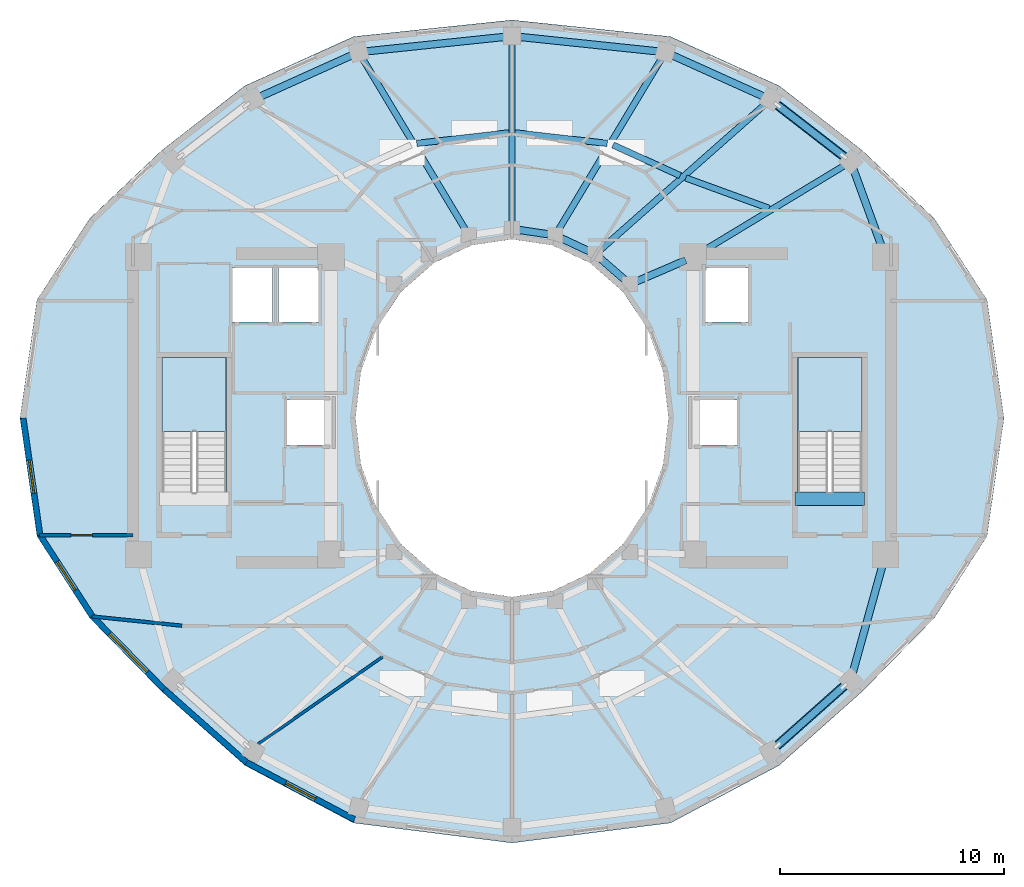
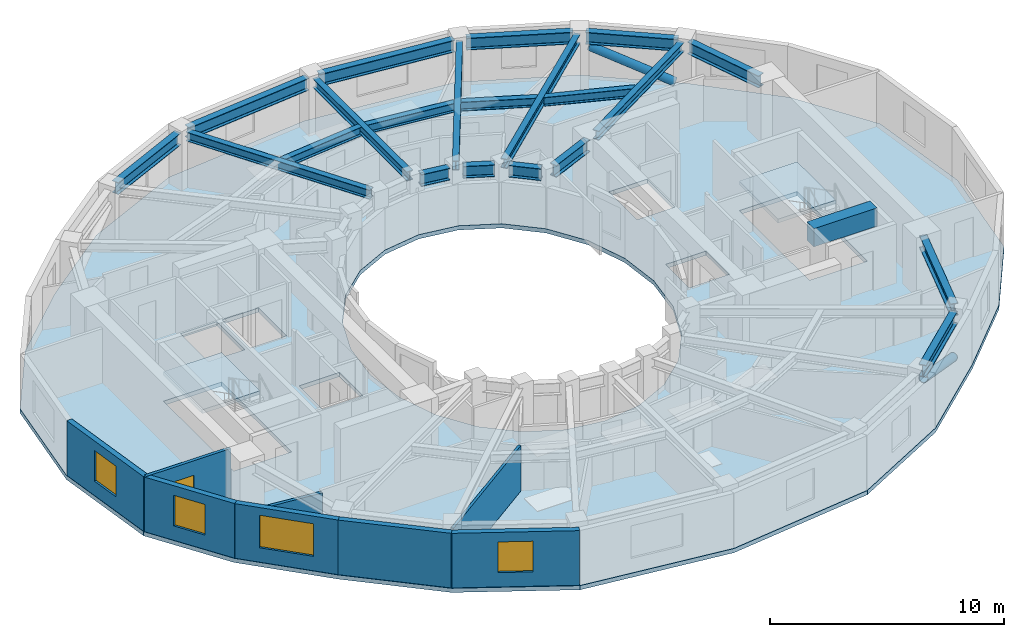
# One storey, part 2 of 9: 22 beams, 8 walls, 4 windows, 3 slabs, 2 members, 1 door, 5 openings, 2 elements without a shape of their own.
"""IFC4 building model written with IfcOpenShell, lengths in metres."""

from ifc_helpers import new_model, si_unit, direction, frame, frame_2d, origin, origin_2d, place, context, subcontext, project, spatial, polyline, rectangle, hollow_circle, i_section, outline, extrude, material, layer, layer_set, material_profile, profile_set, type_object, element, fill, aggregate, save


model = new_model("IFC4")

# Units and contexts
model_context = context("Model", 3, precision=1e-05, world=origin(), true_north=direction((0.0, 1.0)))
body_context = subcontext(model_context, "Body", "Model", "MODEL_VIEW")
ifc_project = project(units=[si_unit("LENGTHUNIT", "METRE"), si_unit("AREAUNIT", "SQUARE_METRE"), si_unit("VOLUMEUNIT", "CUBIC_METRE"), si_unit("PLANEANGLEUNIT", "RADIAN"), si_unit("MASSUNIT", "GRAM", prefix="KILO")], contexts=[model_context])

# Site, building, storey
site_placement = place(None, origin())
site = spatial("IfcSite", under=ifc_project, at=site_placement, CompositionType="ELEMENT")
building_placement = place(site_placement, origin())
building = spatial("IfcBuilding", under=site, at=building_placement, Name="Solvane Sanctuary Tower", CompositionType="ELEMENT")
storey_placement = place(building_placement, frame((0.0, 0.0, 229.5)))
storey = spatial("IfcBuildingStorey", under=building, at=storey_placement, Name="L70", CompositionType="ELEMENT", Elevation=229.5)

# Beams
ifc_material_1 = material(Name="Concrete C70/85", Category="concrete")
ifc_material_profile_1 = material_profile(ifc_material_1, rectangle(XDim=0.60009765625, YDim=0.949951171875, at=origin_2d()), Name="RC600X950")
ifc_profile_set_1 = profile_set([ifc_material_profile_1], Name="Concrete C70/85")
beam_type_1 = type_object("IfcBeamType", Name="Beam B-COUPLE RC600X950", PredefinedType="LINTEL", material=ifc_profile_set_1)
beam_1_placement = place(storey_placement, frame((44.64990234375, 19.399169921875, 2.625), z_axis=(1.0, 0.0, 0.0), x_axis=(0.0, 1.0, 0.0)))
element("IfcBeam", 1, at=beam_1_placement, inside=storey, type_object=beam_type_1, Name="L70 ST-2 Stair Floor Landing Trimmer", PredefinedType="LINTEL", context=body_context, shape_type="SweptSolid", body=[
    extrude(rectangle(XDim=0.60009765625, YDim=0.949951171875, at=origin_2d()), origin(), (0.0, 0.0, 1.0), 3.1201171875),
])
ifc_material_2 = material(Name="Steel ASTM A992 Grade 50", Category="steel")
ifc_material_profile_2 = material_profile(ifc_material_2, i_section(OverallWidth=0.282958984375, OverallDepth=0.471923828125, WebThickness=0.013671875, FlangeThickness=0.022216796875, FilletRadius=0.013916015625, at=origin_2d()), Name="W18X97")
ifc_profile_set_2 = profile_set([ifc_material_profile_2], Name="Steel ASTM A992 Grade 50")
beam_type_2 = type_object("IfcBeamType", Name="Beam B-RAD-Z4 W18X97", PredefinedType="JOIST", material=ifc_profile_set_2)
beam_2_placement = place(storey_placement, frame((40.407958984375, 30.38623046875, 2.64208984375), z_axis=(0.855612120123, 0.517617522789, 0.0), x_axis=(-0.517617522789, 0.855612120123, 0.0)))
element("IfcBeam", 2, at=beam_2_placement, inside=storey, type_object=beam_type_2, Name="L70 Radial Composite Floor Beam 01", PredefinedType="JOIST", context=body_context, shape_type="SweptSolid", body=[
    extrude(i_section(OverallWidth=0.282958984375, OverallDepth=0.471923828125, WebThickness=0.013671875, FlangeThickness=0.022216796875, FilletRadius=0.013916015625, at=origin_2d()), origin(), (0.0, 0.0, 1.0), 7.59375),
])
beam_3_placement = place(storey_placement, frame((35.939697265625, 30.511962890625, 2.64208984375), z_axis=(0.749352461353, 0.662171343886, 0.0), x_axis=(-0.662171343886, 0.749352461353, 0.0)))
element("IfcBeam", 3, at=beam_3_placement, inside=storey, type_object=beam_type_2, Name="L70 Radial Composite Floor Beam 02", PredefinedType="JOIST", context=body_context, shape_type="SweptSolid", body=[
    extrude(i_section(OverallWidth=0.282958984375, OverallDepth=0.471923828125, WebThickness=0.013671875, FlangeThickness=0.022216796875, FilletRadius=0.013916015625, at=origin_2d()), origin(), (0.0, 0.0, 1.0), 9.882568359375),
])
beam_4_placement = place(storey_placement, frame((34.0751953125, 31.41162109375, 2.64208984375), z_axis=(0.515337473432, 0.85698733274, 0.0), x_axis=(-0.85698733274, 0.515337473432, 0.0)))
element("IfcBeam", 4, at=beam_4_placement, inside=storey, type_object=beam_type_2, Name="L70 Radial Composite Floor Beam 03", PredefinedType="JOIST", context=body_context, shape_type="SweptSolid", body=[
    extrude(i_section(OverallWidth=0.282958984375, OverallDepth=0.471923828125, WebThickness=0.013671875, FlangeThickness=0.022216796875, FilletRadius=0.013916015625, at=origin_2d()), origin(), (0.0, 0.0, 1.0), 8.99755859375),
])
beam_5_placement = place(storey_placement, frame((32.0, 31.739990234375, 2.64208984375), z_axis=(0.0, 1.0, 0.0), x_axis=(-1.0, 0.0, 0.0)))
element("IfcBeam", 5, at=beam_5_placement, inside=storey, type_object=beam_type_2, Name="L70 Radial Composite Floor Beam 04", PredefinedType="JOIST", context=body_context, shape_type="SweptSolid", body=[
    extrude(i_section(OverallWidth=0.282958984375, OverallDepth=0.471923828125, WebThickness=0.013671875, FlangeThickness=0.022216796875, FilletRadius=0.013916015625, at=origin_2d()), origin(), (0.0, 0.0, 1.0), 8.06005859375),
])
beam_6_placement = place(storey_placement, frame((29.9248046875, 31.41162109375, 2.64208984375), z_axis=(-0.515337473432, 0.85698733274, 0.0), x_axis=(-0.85698733274, -0.515337473432, 0.0)))
element("IfcBeam", 6, at=beam_6_placement, inside=storey, type_object=beam_type_2, Name="L70 Radial Composite Floor Beam 05", PredefinedType="JOIST", context=body_context, shape_type="SweptSolid", body=[
    extrude(i_section(OverallWidth=0.282958984375, OverallDepth=0.471923828125, WebThickness=0.013671875, FlangeThickness=0.022216796875, FilletRadius=0.013916015625, at=origin_2d()), origin(), (0.0, 0.0, 1.0), 8.99755859375),
])
ifc_material_profile_3 = material_profile(ifc_material_2, i_section(OverallWidth=0.324951171875, OverallDepth=0.615966796875, WebThickness=0.013916015625, FlangeThickness=0.021484375, FilletRadius=0.01611328125, at=origin_2d()), Name="W24X117")
ifc_profile_set_3 = profile_set([ifc_material_profile_3], Name="Steel ASTM A992 Grade 50")
beam_type_3 = type_object("IfcBeamType", Name="Beam B-RING-IN2 W24X117", PredefinedType="BEAM", material=ifc_profile_set_3)
beam_7_placement = place(storey_placement, frame((32.31640625, 31.41259765625, 2.570068359375), z_axis=(0.989056121481, -0.147539786368, 0.0), x_axis=(0.147539786368, 0.989056121481, 0.0)))
element("IfcBeam", 7, at=beam_7_placement, inside=storey, type_object=beam_type_3, Name="L70 Inner Light-Well Ring Beam IC04-IC03", PredefinedType="BEAM", context=body_context, shape_type="SweptSolid", body=[
    extrude(i_section(OverallWidth=0.324951171875, OverallDepth=0.615966796875, WebThickness=0.013916015625, FlangeThickness=0.021484375, FilletRadius=0.01611328125, at=origin_2d()), origin(), (0.0, 0.0, 1.0), 1.312255859375),
])
beam_8_placement = place(storey_placement, frame((34.220458984375, 31.03564453125, 2.570068359375), z_axis=(0.905134542189, -0.425125229241, 0.0), x_axis=(0.425125229241, 0.905134542189, 0.0)))
element("IfcBeam", 8, at=beam_8_placement, inside=storey, type_object=beam_type_3, Name="L70 Inner Light-Well Ring Beam IC03-IC02", PredefinedType="BEAM", context=body_context, shape_type="SweptSolid", body=[
    extrude(i_section(OverallWidth=0.324951171875, OverallDepth=0.615966796875, WebThickness=0.013916015625, FlangeThickness=0.021484375, FilletRadius=0.01611328125, at=origin_2d()), origin(), (0.0, 0.0, 1.0), 1.347900390625),
])
beam_9_placement = place(storey_placement, frame((35.971435546875, 30.116455078125, 2.570068359375), z_axis=(0.754388985763, -0.656427648839, 0.0), x_axis=(0.656427648839, 0.754388985763, 0.0)))
element("IfcBeam", 9, at=beam_9_placement, inside=storey, type_object=beam_type_3, Name="L70 Inner Light-Well Ring Beam IC02-IC01", PredefinedType="BEAM", context=body_context, shape_type="SweptSolid", body=[
    extrude(i_section(OverallWidth=0.324951171875, OverallDepth=0.615966796875, WebThickness=0.013916015625, FlangeThickness=0.021484375, FilletRadius=0.01611328125, at=origin_2d()), origin(), (0.0, 0.0, 1.0), 1.408203125),
])
beam_10_placement = place(storey_placement, frame((37.56884765625, 29.10888671875, 2.570068359375), z_axis=(0.918283854026, 0.395922673554, 0.0), x_axis=(-0.395922673554, 0.918283854026, 0.0)))
element("IfcBeam", 10, at=beam_10_placement, inside=storey, type_object=beam_type_3, Name="L70 Inner Light-Well Ring Beam IC01-CE4", PredefinedType="BEAM", context=body_context, shape_type="SweptSolid", body=[
    extrude(i_section(OverallWidth=0.324951171875, OverallDepth=0.615966796875, WebThickness=0.013916015625, FlangeThickness=0.021484375, FilletRadius=0.01611328125, at=origin_2d()), origin(), (0.0, 0.0, 1.0), 2.396240234375),
])
ifc_material_profile_4 = material_profile(ifc_material_2, i_section(OverallWidth=0.280029296875, OverallDepth=0.462890625, WebThickness=0.0107421875, FlangeThickness=0.017333984375, FilletRadius=0.013916015625, at=origin_2d()), Name="W18X76")
ifc_profile_set_4 = profile_set([ifc_material_profile_4], Name="Steel ASTM A992 Grade 50")
beam_type_4 = type_object("IfcBeamType", Name="Beam B-SEC-JOIST W18X76", PredefinedType="JOIST", material=ifc_profile_set_4)
for number, where, z_axis, x_axis, name in (
    (11, (27.7421875, 35.282470703125, 2.646484375), (0.993510844231, 0.113737427415, 0.0), (-0.113737427415, 0.993510844231, 0.0), "L70 Secondary Circumferential Joist 05-04"),
    (12, (32.135498046875, 35.75439453125, 2.646484375), (0.993510844231, -0.113737427415, 0.0), (0.113737427415, 0.993510844231, 0.0), "L70 Secondary Circumferential Joist 04-03"),
):
    element("IfcBeam", number, at=place(storey_placement, frame(where, z_axis=z_axis, x_axis=x_axis)), inside=storey, type_object=beam_type_4, Name=name, PredefinedType="JOIST", context=body_context, shape_type="SweptSolid", body=[
        extrude(i_section(OverallWidth=0.280029296875, OverallDepth=0.462890625, WebThickness=0.0107421875, FlangeThickness=0.017333984375, FilletRadius=0.013916015625, at=origin_2d()), origin(), (0.0, 0.0, 1.0), 4.149169921875),
    ])
beam_11_placement = place(storey_placement, frame((36.517578125, 35.210205078125, 2.646484375), z_axis=(0.909746959611, -0.415163184156, 0.0), x_axis=(0.415163184156, 0.909746959611, 0.0)))
element("IfcBeam", 13, at=beam_11_placement, inside=storey, type_object=beam_type_4, Name="L70 Secondary Circumferential Joist 03-02", PredefinedType="JOIST", context=body_context, shape_type="SweptSolid", body=[
    extrude(i_section(OverallWidth=0.280029296875, OverallDepth=0.462890625, WebThickness=0.0107421875, FlangeThickness=0.017333984375, FilletRadius=0.013916015625, at=origin_2d()), origin(), (0.0, 0.0, 1.0), 3.29833984375),
])
beam_12_placement = place(storey_placement, frame((39.770751953125, 33.7373046875, 2.646484375), z_axis=(0.939341257695, -0.342983966962, 0.0), x_axis=(0.342983966962, 0.939341257695, 0.0)))
element("IfcBeam", 14, at=beam_12_placement, inside=storey, type_object=beam_type_4, Name="L70 Secondary Circumferential Joist 02-01", PredefinedType="JOIST", context=body_context, shape_type="SweptSolid", body=[
    extrude(i_section(OverallWidth=0.280029296875, OverallDepth=0.462890625, WebThickness=0.0107421875, FlangeThickness=0.017333984375, FilletRadius=0.013916015625, at=origin_2d()), origin(), (0.0, 0.0, 1.0), 3.964111328125),
])
ifc_material_profile_5 = material_profile(ifc_material_2, i_section(OverallWidth=0.327880859375, OverallDepth=0.6279296875, WebThickness=0.0166015625, FlangeThickness=0.027587890625, FilletRadius=0.01611328125, at=origin_2d()), Name="W24X146")
ifc_profile_set_5 = profile_set([ifc_material_profile_5], Name="Steel ASTM A992 Grade 50")
beam_type_5 = type_object("IfcBeamType", Name="Beam B-SPAND-Z3 W24X146", PredefinedType="SPANDREL", material=ifc_profile_set_5)
beam_13_placement = place(storey_placement, frame((20.7001953125, 37.356689453125, 2.56396484375), z_axis=(0.911467646952, 0.411371764418, 0.0), x_axis=(-0.411371764418, 0.911467646952, 0.0)))
element("IfcBeam", 15, at=beam_13_placement, inside=storey, type_object=beam_type_5, Name="L70 Perimeter Spandrel Beam TC06-TC05", PredefinedType="SPANDREL", context=body_context, shape_type="SweptSolid", body=[
    extrude(i_section(OverallWidth=0.327880859375, OverallDepth=0.6279296875, WebThickness=0.0166015625, FlangeThickness=0.027587890625, FilletRadius=0.01611328125, at=origin_2d()), origin(), (0.0, 0.0, 1.0), 4.59521484375),
])
for number, where, z_axis, x_axis, name in (
    (16, (25.42236328125, 39.391357421875, 2.56396484375), (0.994565065885, 0.10411690411, 0.0), (-0.10411690411, 0.994565065885, 0.0), "L70 Perimeter Spandrel Beam TC05-TC04"),
    (17, (32.278564453125, 40.05078125, 2.56396484375), (0.994565065885, -0.10411690411, 0.0), (0.10411690411, 0.994565065885, 0.0), "L70 Perimeter Spandrel Beam TC04-TC03"),
):
    element("IfcBeam", number, at=place(storey_placement, frame(where, z_axis=z_axis, x_axis=x_axis)), inside=storey, type_object=beam_type_5, Name=name, PredefinedType="SPANDREL", context=body_context, shape_type="SweptSolid", body=[
        extrude(i_section(OverallWidth=0.327880859375, OverallDepth=0.6279296875, WebThickness=0.0166015625, FlangeThickness=0.027587890625, FilletRadius=0.01611328125, at=origin_2d()), origin(), (0.0, 0.0, 1.0), 6.33349609375),
    ])
beam_14_placement = place(storey_placement, frame((39.111328125, 39.2470703125, 2.56396484375), z_axis=(0.911467646952, -0.411371764418, 0.0), x_axis=(0.411371764418, 0.911467646952, 0.0)))
element("IfcBeam", 18, at=beam_14_placement, inside=storey, type_object=beam_type_5, Name="L70 Perimeter Spandrel Beam TC03-TC02", PredefinedType="SPANDREL", context=body_context, shape_type="SweptSolid", body=[
    extrude(i_section(OverallWidth=0.327880859375, OverallDepth=0.6279296875, WebThickness=0.0166015625, FlangeThickness=0.027587890625, FilletRadius=0.01611328125, at=origin_2d()), origin(), (0.0, 0.0, 1.0), 4.59521484375),
])
beam_15_placement = place(storey_placement, frame((43.776611328125, 37.070068359375, 2.56396484375), z_axis=(0.79064516309, -0.612274632891, 0.0), x_axis=(0.612274632891, 0.79064516309, 0.0)))
element("IfcBeam", 19, at=beam_15_placement, inside=storey, type_object=beam_type_5, Name="L70 Perimeter Spandrel Beam TC02-TC01", PredefinedType="SPANDREL", context=body_context, shape_type="SweptSolid", body=[
    extrude(i_section(OverallWidth=0.327880859375, OverallDepth=0.6279296875, WebThickness=0.0166015625, FlangeThickness=0.027587890625, FilletRadius=0.01611328125, at=origin_2d()), origin(), (0.0, 0.0, 1.0), 3.980224609375),
])
beam_16_placement = place(storey_placement, frame((47.240966796875, 34.19873046875, 2.56396484375), z_axis=(0.34275337431, -0.939425422478, 0.0), x_axis=(0.939425422478, 0.34275337431, 0.0)))
element("IfcBeam", 20, at=beam_16_placement, inside=storey, type_object=beam_type_5, Name="L70 Perimeter Spandrel Beam TC01-CE3", PredefinedType="SPANDREL", context=body_context, shape_type="SweptSolid", body=[
    extrude(i_section(OverallWidth=0.327880859375, OverallDepth=0.6279296875, WebThickness=0.0166015625, FlangeThickness=0.027587890625, FilletRadius=0.01611328125, at=origin_2d()), origin(), (0.0, 0.0, 1.0), 3.976806640625),
])
beam_17_placement = place(storey_placement, frame((43.764404296875, 8.272216796875, 2.56396484375), z_axis=(0.747199825189, 0.664599444205, 0.0), x_axis=(-0.664599444205, 0.747199825189, 0.0)))
element("IfcBeam", 21, at=beam_17_placement, inside=storey, type_object=beam_type_5, Name="L70 Perimeter Spandrel Beam TC13-TC14", PredefinedType="SPANDREL", context=body_context, shape_type="SweptSolid", body=[
    extrude(i_section(OverallWidth=0.327880859375, OverallDepth=0.6279296875, WebThickness=0.0166015625, FlangeThickness=0.027587890625, FilletRadius=0.01611328125, at=origin_2d()), origin(), (0.0, 0.0, 1.0), 4.244384765625),
])
beam_18_placement = place(storey_placement, frame((47.219482421875, 11.549072265625, 2.56396484375), z_axis=(0.266650123869, 0.963793396658, 0.0), x_axis=(-0.963793396658, 0.266650123869, 0.0)))
element("IfcBeam", 22, at=beam_18_placement, inside=storey, type_object=beam_type_5, Name="L70 Perimeter Spandrel Beam TC14-CE2", PredefinedType="SPANDREL", context=body_context, shape_type="SweptSolid", body=[
    extrude(i_section(OverallWidth=0.327880859375, OverallDepth=0.6279296875, WebThickness=0.0166015625, FlangeThickness=0.027587890625, FilletRadius=0.01611328125, at=origin_2d()), origin(), (0.0, 0.0, 1.0), 5.27197265625),
])

# Members
ifc_material_profile_6 = material_profile(ifc_material_2, hollow_circle(Radius=0.202880859375, WallThickness=0.012451171875, at=origin_2d()), Name="CHS406X12.5")
ifc_profile_set_6 = profile_set([ifc_material_profile_6], Name="Steel ASTM A992 Grade 50")
member_type = type_object("IfcMemberType", Name="Member M-TUBE-Z3 CHS406X12.5", PredefinedType="BRACE", material=ifc_profile_set_6)
member_1_placement = place(storey_placement, frame((46.81884765625, 34.714111328125, 0.5498046875), z_axis=(-0.731090089768, 0.566107162853, 0.380827993731), x_axis=(-0.612242116954, -0.790670342322, 0.0)))
element("IfcMember", 23, at=member_1_placement, inside=storey, type_object=member_type, Name="L70 Perimeter Braced-Tube Diagonal NE", PredefinedType="BRACE", context=body_context, shape_type="SweptSolid", body=[
    extrude(hollow_circle(Radius=0.202880859375, WallThickness=0.012451171875, at=origin_2d()), origin(), (0.0, 0.0, 1.0), 4.017578125),
])
member_2_placement = place(storey_placement, frame((46.83837890625, 11.006591796875, 0.53955078125), z_axis=(-0.69629863571, -0.619345335379, 0.362738977025), x_axis=(0.664611503375, -0.747189098945, 0.0)))
element("IfcMember", 24, at=member_2_placement, inside=storey, type_object=member_type, Name="L70 Perimeter Braced-Tube Diagonal SE", PredefinedType="BRACE", context=body_context, shape_type="SweptSolid", body=[
    extrude(hollow_circle(Radius=0.202880859375, WallThickness=0.012451171875, at=origin_2d()), origin(), (0.0, 0.0, 1.0), 4.26708984375),
])

# Stair, slab
ifc_material_3 = material(Name="Concrete C45/55", Category="concrete")
stair_type = type_object("IfcStairType", Name="Stair ST-TOW", PredefinedType="HALF_TURN_STAIR", material=ifc_material_3)
stair_1_placement = place(storey_placement, origin())
stair_1 = element("IfcStair", 25, at=stair_1_placement, inside=storey, type_object=stair_type, Name="L70 Exit Stair ST-1 West Core", PredefinedType="HALF_TURN_STAIR")
ifc_layer_1 = layer(ifc_material_3, 0.199951171875, Name="Concrete C45/55")
ifc_layer_set_1 = layer_set([ifc_layer_1], Name="Concrete C45/55")
slab_type_1 = type_object("IfcSlabType", Name="Slab SL-LAND-180", PredefinedType="LANDING", material=ifc_layer_set_1)
slab_1_placement = place(storey_placement, frame((0.0, 0.0, 1.35009765625)))
slab_1 = element("IfcSlab", 26, at=slab_1_placement, type_object=slab_type_1, Name="ST-1 landing 1", PredefinedType="LANDING", context=body_context, shape_type="SweptSolid", body=[
    extrude(outline(polyline([(19.219970703125, 22.39990234375), (19.219970703125, 25.699951171875), (16.360107421875, 25.699951171875), (16.360107421875, 22.39990234375), (19.219970703125, 22.39990234375)])), origin(), (0.0, 0.0, 1.0), 0.199951171875),
])
aggregate(stair_1, [slab_1])

stair_2_placement = place(storey_placement, origin())
stair_2 = element("IfcStair", 27, at=stair_2_placement, inside=storey, type_object=stair_type, Name="L70 Exit Stair ST-2 East Core", PredefinedType="HALF_TURN_STAIR")
slab_2_placement = place(storey_placement, frame((0.0, 0.0, 1.35009765625)))
slab_2 = element("IfcSlab", 28, at=slab_2_placement, type_object=slab_type_1, Name="ST-2 landing 1", PredefinedType="LANDING", context=body_context, shape_type="SweptSolid", body=[
    extrude(outline(polyline([(47.639892578125, 22.39990234375), (47.639892578125, 25.699951171875), (44.780029296875, 25.699951171875), (44.780029296875, 22.39990234375), (47.639892578125, 22.39990234375)])), origin(), (0.0, 0.0, 1.0), 0.199951171875),
])
aggregate(stair_2, [slab_2])

# Slab
ifc_layer_2 = layer(ifc_material_3, 0.219970703125, Name="Concrete C45/55")
ifc_layer_set_2 = layer_set([ifc_layer_2], Name="Concrete C45/55")
slab_type_2 = type_object("IfcSlabType", Name="Slab SL-TOW-220", PredefinedType="FLOOR", material=ifc_layer_set_2)
slab_3_placement = place(storey_placement, frame((0.0, 0.0, -0.219970703125)))
element("IfcSlab", 29, at=slab_3_placement, inside=storey, type_object=slab_type_2, Name="L70 Primary Structural Slab", PredefinedType="FLOOR", context=body_context, shape_type="SweptSolid", body=[
    extrude(outline(polyline([(54.0, 23.0), (53.239990234375, 28.283935546875), (50.881103515625, 31.925537109375), (47.6572265625, 34.97412109375), (43.946044921875, 37.859375), (39.088134765625, 40.057373046875), (32.0, 40.800048828125), (24.911865234375, 40.057373046875), (20.053955078125, 37.859375), (16.3427734375, 34.97412109375), (13.118896484375, 31.925537109375), (10.760009765625, 28.283935546875), (10.0, 23.0), (10.760009765625, 17.716064453125), (13.118896484375, 14.056884765625), (16.3427734375, 10.7666015625), (20.053955078125, 7.46826171875), (24.911865234375, 4.8935546875), (32.0, 4.0), (39.088134765625, 4.8935546875), (43.946044921875, 7.46826171875), (47.6572265625, 10.7666015625), (50.881103515625, 14.056884765625), (53.239990234375, 17.716064453125), (54.0, 23.0)]), holes=[polyline([(38.761474609375, 20.929443359375), (38.062255859375, 19.0), (36.94970703125, 17.343017578125), (35.5, 16.07177734375), (33.811767578125, 15.272705078125), (32.0, 15.0), (30.188232421875, 15.272705078125), (28.5, 16.07177734375), (27.05029296875, 17.343017578125), (25.937744140625, 19.0), (25.238525390625, 20.929443359375), (25.0, 23.0), (25.238525390625, 25.070556640625), (25.937744140625, 27.0), (27.05029296875, 28.656982421875), (28.5, 29.92822265625), (30.188232421875, 30.727294921875), (32.0, 31.0), (33.811767578125, 30.727294921875), (35.5, 29.92822265625), (36.94970703125, 28.656982421875), (38.062255859375, 27.0), (38.761474609375, 25.070556640625), (39.0, 23.0), (38.761474609375, 20.929443359375)]), polyline([(16.360107421875, 19.699951171875), (16.360107421875, 25.699951171875), (19.219970703125, 25.699951171875), (19.219970703125, 19.699951171875), (16.360107421875, 19.699951171875)]), polyline([(44.780029296875, 19.699951171875), (44.780029296875, 25.699951171875), (47.639892578125, 25.699951171875), (47.639892578125, 19.699951171875), (44.780029296875, 19.699951171875)]), polyline([(21.949951171875, 23.800048828125), (23.949951171875, 23.800048828125), (23.949951171875, 21.800048828125), (21.949951171875, 21.800048828125), (21.949951171875, 23.800048828125)]), polyline([(40.050048828125, 23.800048828125), (42.050048828125, 23.800048828125), (42.050048828125, 21.800048828125), (40.050048828125, 21.800048828125), (40.050048828125, 23.800048828125)]), polyline([(19.5, 29.699951171875), (21.300048828125, 29.699951171875), (21.300048828125, 27.300048828125), (19.5, 27.300048828125), (19.5, 29.699951171875)]), polyline([(21.550048828125, 29.699951171875), (23.35009765625, 29.699951171875), (23.35009765625, 27.300048828125), (21.550048828125, 27.300048828125), (21.550048828125, 29.699951171875)]), polyline([(40.64990234375, 29.699951171875), (42.550048828125, 29.699951171875), (42.550048828125, 27.300048828125), (40.64990234375, 27.300048828125), (40.64990234375, 29.699951171875)])]), origin(), (0.0, 0.0, 1.0), 0.219970703125),
])

# Wall, opening, door
ifc_material_4 = material(Name="Acoustic Gypsum Partition Board")
ifc_layer_3 = layer(ifc_material_4, 0.14990234375, Name="Acoustic Gypsum Partition Board")
ifc_layer_set_3 = layer_set([ifc_layer_3], Name="Acoustic Gypsum Partition Board")
wall_type_1 = type_object("IfcWallType", Name="Wall W-CORR-150", PredefinedType="PARTITIONING", material=ifc_layer_set_3)
wall_1_placement = place(storey_placement, frame((10.87548828125, 17.754638671875, 0.0), z_axis=(0.0, 0.0, 1.0), x_axis=(1.0, 0.0, 0.0)))
wall_1 = element("IfcWall", 30, at=wall_1_placement, inside=storey, type_object=wall_type_1, Name="L70 West Shoulder South Wall", PredefinedType="PARTITIONING", context=body_context, shape_type="SweptSolid", body=[
    extrude(rectangle(XDim=4.174560546875, YDim=0.14990234375, at=frame_2d((2.08740234375, 0.0))), origin(), (0.0, 0.0, 1.0), 2.85498046875),
])
opening_1_placement = place(wall_1_placement, frame((1.407470703125, 0.0, 0.0)))
opening_1 = element("IfcOpeningElement", 31, at=opening_1_placement, cuts=wall_1, Name="Opening D-L70-15", PredefinedType="OPENING", context=body_context, shape_type="SweptSolid", body=[
    extrude(rectangle(XDim=0.949951171875, YDim=2.10009765625, at=frame_2d((0.47509765625, 1.050048828125))), frame((0.0, 0.0849609375, 0.0), z_axis=(0.0, -1.0, 0.0), x_axis=(1.0, 0.0, 0.0)), (0.0, 0.0, 1.0), 0.169921875),
])
ifc_material_5 = material(Name="Engineered Tropical Hardwood", Category="wood")
door_type = type_object("IfcDoorType", Name="Door D-ROOM-950", OperationType="NOTDEFINED", PredefinedType="DOOR", material=ifc_material_5)
door_placement = place(opening_1_placement, origin())
door = element("IfcDoor", 32, at=door_placement, inside=storey, type_object=door_type, Name="L70 West Shoulder South Door", OperationType="SINGLE_SWING_RIGHT", OverallHeight=2.10009765625, OverallWidth=0.949951171875, PredefinedType="DOOR", context=body_context, shape_type="SweptSolid", body=[
    extrude(rectangle(XDim=0.949951171875, YDim=2.10009765625, at=frame_2d((0.47509765625, 1.050048828125))), frame((0.0, 0.02490234375, 0.0), z_axis=(0.0, -1.0, 0.0), x_axis=(1.0, 0.0, 0.0)), (0.0, 0.0, 1.0), 0.050048828125),
])
fill(opening_1, door)

# Wall
wall_2_placement = place(storey_placement, frame((17.249755859375, 13.71484375, 0.0), z_axis=(0.0, 0.0, 1.0), x_axis=(-0.994734711466, 0.102483431859, 0.0)))
element("IfcWall", 33, at=wall_2_placement, inside=storey, type_object=wall_type_1, Name="L70 SW Corner Wing Wall", PredefinedType="PARTITIONING", context=body_context, shape_type="SweptSolid", body=[
    extrude(rectangle(XDim=4.04736328125, YDim=0.14990234375, at=frame_2d((2.023681640625, 0.0))), origin(), (0.0, 0.0, 1.0), 2.219970703125),
])

# Wall, opening, window
ifc_material_6 = material(Name="Precast concrete C40/50", Category="concrete")
ifc_layer_4 = layer(ifc_material_6, 0.260009765625, Name="Precast concrete C40/50")
ifc_layer_set_4 = layer_set([ifc_layer_4], Name="Precast concrete C40/50")
wall_type_2 = type_object("IfcWallType", Name="Wall W-EXT-250", PredefinedType="STANDARD", material=ifc_layer_set_4)
wall_3_placement = place(storey_placement, frame((10.139892578125, 23.0, 0.0), z_axis=(0.0, 0.0, 1.0), x_axis=(0.142712754019, -0.989764148593, 0.0)))
wall_3 = element("IfcWall", 34, at=wall_3_placement, inside=storey, type_object=wall_type_2, Name="L70 Ceramic-Printed Facade Wall 12", PredefinedType="STANDARD", context=body_context, shape_type="SweptSolid", body=[
    extrude(rectangle(XDim=5.29296875, YDim=0.260009765625, at=frame_2d((2.646484375, 0.0))), origin(), (0.0, 0.0, 1.0), 2.85009765625),
])
opening_2_placement = place(wall_3_placement, frame((1.896484375, 0.0, 0.75)))
opening_2 = element("IfcOpeningElement", 35, at=opening_2_placement, cuts=wall_3, Name="Opening WN-OPER-1500", PredefinedType="OPENING", context=body_context, shape_type="SweptSolid", body=[
    extrude(rectangle(XDim=1.5, YDim=1.60009765625, at=frame_2d((0.75, 0.800048828125))), frame((0.0, 0.139892578125, 0.0), z_axis=(0.0, -1.0, 0.0), x_axis=(1.0, 0.0, 0.0)), (0.0, 0.0, 1.0), 0.280029296875),
])
ifc_material_7 = material(Name="Dark Ceramic-Fritted Low-E Glass", Category="glass")
window_type_1 = type_object("IfcWindowType", Name="Window WN-OPER-1500", PartitioningType="SINGLE_PANEL", PredefinedType="WINDOW", material=ifc_material_7)
window_1_placement = place(opening_2_placement, origin())
window_1 = element("IfcWindow", 36, at=window_1_placement, inside=storey, type_object=window_type_1, Name="L70 Operable Facade Window 12", OverallHeight=1.60009765625, OverallWidth=1.5, PartitioningType="SINGLE_PANEL", PredefinedType="WINDOW", context=body_context, shape_type="SweptSolid", body=[
    extrude(rectangle(XDim=1.5, YDim=1.60009765625, at=frame_2d((0.75, 0.800048828125))), frame((0.0, 0.030029296875, 0.0), z_axis=(0.0, -1.0, 0.0), x_axis=(1.0, 0.0, 0.0)), (0.0, 0.0, 1.0), 0.06005859375),
])
fill(opening_2, window_1)

wall_4_placement = place(storey_placement, frame((10.895263671875, 17.76123046875, 0.0), z_axis=(0.0, 0.0, 1.0), x_axis=(0.542641766008, -0.839964233634, 0.0)))
wall_4 = element("IfcWall", 37, at=wall_4_placement, inside=storey, type_object=wall_type_2, Name="L70 Ceramic-Printed Facade Wall 13", PredefinedType="STANDARD", context=body_context, shape_type="SweptSolid", body=[
    extrude(rectangle(XDim=4.319091796875, YDim=0.260009765625, at=frame_2d((2.15966796875, 0.0))), origin(), (0.0, 0.0, 1.0), 2.85009765625),
])
opening_3_placement = place(wall_4_placement, frame((1.40966796875, 0.0, 0.75)))
opening_3 = element("IfcOpeningElement", 38, at=opening_3_placement, cuts=wall_4, Name="Opening WN-OPER-1500", PredefinedType="OPENING", context=body_context, shape_type="SweptSolid", body=[
    extrude(rectangle(XDim=1.5, YDim=1.60009765625, at=frame_2d((0.75, 0.800048828125))), frame((0.0, 0.139892578125, 0.0), z_axis=(0.0, -1.0, 0.0), x_axis=(1.0, 0.0, 0.0)), (0.0, 0.0, 1.0), 0.280029296875),
])
window_2_placement = place(opening_3_placement, origin())
window_2 = element("IfcWindow", 39, at=window_2_placement, inside=storey, type_object=window_type_1, Name="L70 Operable Facade Window 13", OverallHeight=1.60009765625, OverallWidth=1.5, PartitioningType="SINGLE_PANEL", PredefinedType="WINDOW", context=body_context, shape_type="SweptSolid", body=[
    extrude(rectangle(XDim=1.5, YDim=1.60009765625, at=frame_2d((0.75, 0.800048828125))), frame((0.0, 0.030029296875, 0.0), z_axis=(0.0, -1.0, 0.0), x_axis=(1.0, 0.0, 0.0)), (0.0, 0.0, 1.0), 0.06005859375),
])
fill(opening_3, window_2)

wall_5_placement = place(storey_placement, frame((13.239013671875, 14.13330078125, 0.0), z_axis=(0.0, 0.0, 1.0), x_axis=(0.700642973333, -0.713512034881, 0.0)))
wall_5 = element("IfcWall", 40, at=wall_5_placement, inside=storey, type_object=wall_type_2, Name="L70 Ceramic-Printed Facade Wall 14", PredefinedType="STANDARD", context=body_context, shape_type="SweptSolid", body=[
    extrude(rectangle(XDim=4.572021484375, YDim=0.260009765625, at=frame_2d((2.2861328125, 0.0))), origin(), (0.0, 0.0, 1.0), 2.85009765625),
])
opening_4_placement = place(wall_5_placement, frame((1.0859375, 0.0, 0.75)))
opening_4 = element("IfcOpeningElement", 41, at=opening_4_placement, cuts=wall_5, Name="Opening WN-RIB-2400", PredefinedType="OPENING", context=body_context, shape_type="SweptSolid", body=[
    extrude(rectangle(XDim=2.39990234375, YDim=1.699951171875, at=frame_2d((1.199951171875, 0.85009765625))), frame((0.0, 0.139892578125, 0.0), z_axis=(0.0, -1.0, 0.0), x_axis=(1.0, 0.0, 0.0)), (0.0, 0.0, 1.0), 0.280029296875),
])
window_type_2 = type_object("IfcWindowType", Name="Window WN-RIB-2400", PartitioningType="SINGLE_PANEL", PredefinedType="WINDOW", material=ifc_material_7)
window_3_placement = place(opening_4_placement, origin())
window_3 = element("IfcWindow", 42, at=window_3_placement, inside=storey, type_object=window_type_2, Name="L70 Operable Facade Window 14", OverallHeight=1.699951171875, OverallWidth=2.39990234375, PartitioningType="SINGLE_PANEL", PredefinedType="WINDOW", context=body_context, shape_type="SweptSolid", body=[
    extrude(rectangle(XDim=2.39990234375, YDim=1.699951171875, at=frame_2d((1.199951171875, 0.85009765625))), frame((0.0, 0.030029296875, 0.0), z_axis=(0.0, -1.0, 0.0), x_axis=(1.0, 0.0, 0.0)), (0.0, 0.0, 1.0), 0.06005859375),
])
fill(opening_4, window_3)

# Wall
wall_6_placement = place(storey_placement, frame((16.4423828125, 10.87109375, 0.0), z_axis=(0.0, 0.0, 1.0), x_axis=(0.748165854006, -0.663511759428, 0.0)))
element("IfcWall", 43, at=wall_6_placement, inside=storey, type_object=wall_type_2, Name="L70 Ceramic-Printed Facade Wall 15", PredefinedType="STANDARD", context=body_context, shape_type="SweptSolid", body=[
    extrude(rectangle(XDim=4.9287109375, YDim=0.260009765625, at=frame_2d((2.46435546875, 0.0))), origin(), (0.0, 0.0, 1.0), 2.85009765625),
])

# Wall, opening, window
wall_7_placement = place(storey_placement, frame((20.1298828125, 7.600830078125, 0.0), z_axis=(0.0, 0.0, 1.0), x_axis=(0.884000981341, -0.46748504253, 0.0)))
wall_7 = element("IfcWall", 44, at=wall_7_placement, inside=storey, type_object=wall_type_2, Name="L70 Ceramic-Printed Facade Wall 16", PredefinedType="STANDARD", context=body_context, shape_type="SweptSolid", body=[
    extrude(rectangle(XDim=5.46044921875, YDim=0.260009765625, at=frame_2d((2.730224609375, 0.0))), origin(), (0.0, 0.0, 1.0), 2.85009765625),
])
opening_5_placement = place(wall_7_placement, frame((1.980224609375, 0.0, 0.75)))
opening_5 = element("IfcOpeningElement", 45, at=opening_5_placement, cuts=wall_7, Name="Opening WN-OPER-1500", PredefinedType="OPENING", context=body_context, shape_type="SweptSolid", body=[
    extrude(rectangle(XDim=1.5, YDim=1.60009765625, at=frame_2d((0.75, 0.800048828125))), frame((0.0, 0.139892578125, 0.0), z_axis=(0.0, -1.0, 0.0), x_axis=(1.0, 0.0, 0.0)), (0.0, 0.0, 1.0), 0.280029296875),
])
window_4_placement = place(opening_5_placement, origin())
window_4 = element("IfcWindow", 46, at=window_4_placement, inside=storey, type_object=window_type_1, Name="L70 Operable Facade Window 16", OverallHeight=1.60009765625, OverallWidth=1.5, PartitioningType="SINGLE_PANEL", PredefinedType="WINDOW", context=body_context, shape_type="SweptSolid", body=[
    extrude(rectangle(XDim=1.5, YDim=1.60009765625, at=frame_2d((0.75, 0.800048828125))), frame((0.0, 0.030029296875, 0.0), z_axis=(0.0, -1.0, 0.0), x_axis=(1.0, 0.0, 0.0)), (0.0, 0.0, 1.0), 0.06005859375),
])
fill(opening_5, window_4)

# Wall
ifc_layer_5 = layer(ifc_material_4, 0.125, Name="Acoustic Gypsum Partition Board")
ifc_layer_set_5 = layer_set([ifc_layer_5], Name="Acoustic Gypsum Partition Board")
wall_type_3 = type_object("IfcWallType", Name="Wall W-PART-125", PredefinedType="PARTITIONING", material=ifc_layer_set_5)
wall_8_placement = place(storey_placement, frame((26.2060546875, 12.318115234375, 0.0), z_axis=(0.0, 0.0, 1.0), x_axis=(-0.819017716307, -0.573768228796, 0.0)))
element("IfcWall", 47, at=wall_8_placement, inside=storey, type_object=wall_type_3, Name="L70 Radial Compartment Wall 240", PredefinedType="PARTITIONING", context=body_context, shape_type="SweptSolid", body=[
    extrude(rectangle(XDim=6.802001953125, YDim=0.125, at=frame_2d((3.40087890625, 0.0))), origin(), (0.0, 0.0, 1.0), 2.3759765625),
])

save(model, "model.ifc")
